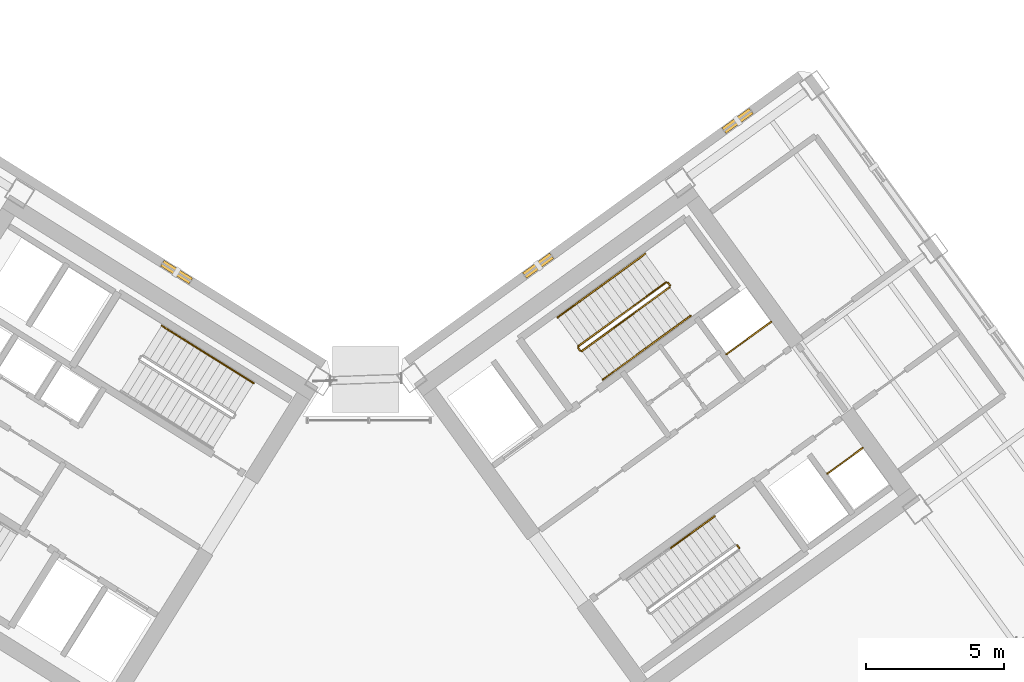
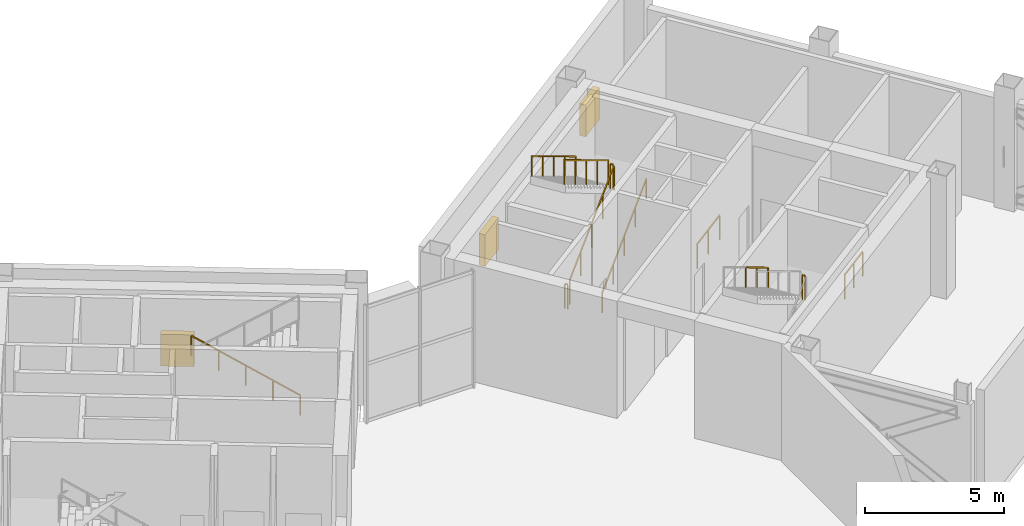
# One storey, part 29 of 30: 14 railings, 3 shading devices.
"""IFC4 building model written with IfcOpenShell, lengths in metres."""

from ifc_helpers import new_model, si_unit, direction, frame, origin, origin_2d, place, context, subcontext, project, spatial, rectangle, extrude, source, transform, mapped, material, type_object, element, save


model = new_model("IFC4")

# Units and contexts
model_context = context("Model", 3, precision=1e-05, world=origin(), true_north=direction((0.0, 1.0)))
body_context = subcontext(model_context, "Body", "Model", "MODEL_VIEW")
ifc_project = project(units=[si_unit("LENGTHUNIT", "METRE"), si_unit("AREAUNIT", "SQUARE_METRE"), si_unit("VOLUMEUNIT", "CUBIC_METRE"), si_unit("PLANEANGLEUNIT", "RADIAN"), si_unit("MASSUNIT", "GRAM", prefix="KILO")], contexts=[model_context])

# Site, building, storey
site_placement = place(None, origin())
site = spatial("IfcSite", under=ifc_project, at=site_placement, CompositionType="ELEMENT")
building_placement = place(site_placement, origin())
building = spatial("IfcBuilding", under=site, at=building_placement, Name="Tlacorven Tower", CompositionType="ELEMENT")
storey_placement = place(building_placement, frame((0.0, 0.0, 169.5)))
storey = spatial("IfcBuildingStorey", under=building, at=storey_placement, Name="L43", CompositionType="ELEMENT", Elevation=169.5)

# Railings
ifc_material_1 = material(Name="Aluminium and painted steel balustrade", Category="steel")
railing_type_1 = type_object("IfcRailingType", Name="RL-GRD-1100", PredefinedType="GUARDRAIL", material=ifc_material_1)
shared_shape_1 = source(origin(), body_context, "Body", "SweptSolid", [
    extrude(rectangle(XDim=0.048095703125, YDim=0.048095703125, at=origin_2d()), frame((0.0, 0.0, 1.076171875), z_axis=(0.808947177504, 0.587881334972, 0.0), x_axis=(-0.587881334972, 0.808947177504, 0.0)), (0.0, 0.0, 1.0), 2.0),
    extrude(rectangle(XDim=0.0419921875, YDim=0.0419921875, at=origin_2d()), origin(), (0.0, 0.0, 1.0), 1.052001953125),
    extrude(rectangle(XDim=0.0419921875, YDim=0.0419921875, at=origin_2d()), frame((0.80908203125, 0.587890625, 0.0)), (0.0, 0.0, 1.0), 1.052001953125),
    extrude(rectangle(XDim=0.0419921875, YDim=0.0419921875, at=origin_2d()), frame((1.617919921875, 1.17578125, 0.0)), (0.0, 0.0, 1.0), 1.052001953125),
])
railing_1_placement = place(storey_placement, frame((55.506103515625, 25.438232421875, 0.0)))
element("IfcRailing", 1, at=railing_1_placement, inside=storey, type_object=railing_type_1, Name="L43 Electrical Riser E Shaft Guard 1", PredefinedType="GUARDRAIL", context=body_context, shape_type="MappedRepresentation", body=[
    mapped(shared_shape_1, transform((0.0, 0.0, 0.0), scale=1.0)),
])
shared_shape_2 = source(origin(), body_context, "Body", "SweptSolid", [
    extrude(rectangle(XDim=0.048095703125, YDim=0.048095703125, at=origin_2d()), frame((0.0, 0.0, 1.076171875), z_axis=(0.809029975545, 0.58776738483, 0.0), x_axis=(-0.58776738483, 0.809029975545, 0.0)), (0.0, 0.0, 1.0), 1.580078125),
    extrude(rectangle(XDim=0.0419921875, YDim=0.0419921875, at=origin_2d()), origin(), (0.0, 0.0, 1.0), 1.052001953125),
    extrude(rectangle(XDim=0.0419921875, YDim=0.0419921875, at=origin_2d()), frame((0.63916015625, 0.46435546875, 0.0)), (0.0, 0.0, 1.0), 1.052001953125),
    extrude(rectangle(XDim=0.0419921875, YDim=0.0419921875, at=origin_2d()), frame((1.2783203125, 0.9287109375, 0.0)), (0.0, 0.0, 1.0), 1.052001953125),
])
railing_2_placement = place(storey_placement, frame((59.160888671875, 21.122314453125, 0.0)))
element("IfcRailing", 2, at=railing_2_placement, inside=storey, type_object=railing_type_1, Name="L43 Smoke Riser E Shaft Guard 1", PredefinedType="GUARDRAIL", context=body_context, shape_type="MappedRepresentation", body=[
    mapped(shared_shape_2, transform((0.0, 0.0, 0.0), scale=1.0)),
])

# Shading devices
ifc_material_2 = material(Name="Anodised bronze aluminium acoustic louvre", Category="aluminium")
shading_device_type = type_object("IfcShadingDeviceType", Name="SH-LVR-WND", PredefinedType="JALOUSIE", material=ifc_material_2)
shared_shape_3 = source(origin(), body_context, "Body", "SweptSolid", [
    extrude(rectangle(XDim=1.2099609375, YDim=0.25, at=origin_2d()), origin(), (0.0, 0.0, 1.0), 1.39990234375),
])
for number, where, z_axis, x_axis, name in (
    (3, (35.60498046875, 28.411376953125, 0.949951171875), (0.0, 0.0, 1.0), (0.84804812172, -0.529919223323, 0.0), "L43 Storm-Resistant Acoustic Louvre Bank 3.4"),
    (4, (48.6904296875, 28.64453125, 0.949951171875), (0.0, 0.0, 1.0), (0.809017097486, 0.587785110372, 0.0), "L43 Storm-Resistant Acoustic Louvre Bank 4.1"),
    (5, (55.90625, 33.88720703125, 0.949951171875), (0.0, 0.0, 1.0), (0.809017097486, 0.587785110372, 0.0), "L43 Storm-Resistant Acoustic Louvre Bank 4.2"),
):
    element("IfcShadingDevice", number, at=place(storey_placement, frame(where, z_axis=z_axis, x_axis=x_axis)), inside=storey, type_object=shading_device_type, Name=name, PredefinedType="JALOUSIE", context=body_context, shape_type="MappedRepresentation", body=[
        mapped(shared_shape_3, transform((0.0, 0.0, 0.0), scale=1.0)),
    ])

# Railings
railing_type_2 = type_object("IfcRailingType", Name="RL-HND-0900", PredefinedType="HANDRAIL", material=ifc_material_1)
shared_shape_4 = source(origin(), body_context, "Body", "SweptSolid", [
    extrude(rectangle(XDim=0.048095703125, YDim=0.048095703125, at=origin_2d()), frame((0.0, 0.0, 0.8759765625), z_axis=(-0.713405181892, 0.445707981167, 0.540737868078), x_axis=(-0.529853385765, -0.848089258034, 0.0)), (0.0, 0.0, 1.0), 2.330078125),
    extrude(rectangle(XDim=0.0419921875, YDim=0.0419921875, at=origin_2d()), origin(), (0.0, 0.0, 1.0), 0.851806640625),
    extrude(rectangle(XDim=0.0419921875, YDim=0.0419921875, at=origin_2d()), frame((-0.8310546875, 0.519287109375, 0.6298828125)), (0.0, 0.0, 1.0), 0.851806640625),
    extrude(rectangle(XDim=0.0419921875, YDim=0.0419921875, at=origin_2d()), frame((-1.662353515625, 1.03857421875, 1.260009765625)), (0.0, 0.0, 1.0), 0.851806640625),
])
railing_3_placement = place(storey_placement, frame((38.390625, 24.39501953125, 0.179931640625)))
element("IfcRailing", 6, at=railing_3_placement, inside=storey, type_object=railing_type_2, Name="L43 ST-W2 stair handrail 1", PredefinedType="HANDRAIL", context=body_context, shape_type="MappedRepresentation", body=[
    mapped(shared_shape_4, transform((0.0, 0.0, 0.0), scale=1.0)),
])
shared_shape_5 = source(origin(), body_context, "Body", "SweptSolid", [
    extrude(rectangle(XDim=0.048095703125, YDim=0.048095703125, at=origin_2d()), frame((0.0, 0.0, 0.8759765625), z_axis=(-0.71332040746, 0.445825254663, 0.540753029216), x_axis=(-0.529998940003, -0.847998304005, 0.0)), (0.0, 0.0, 1.0), 2.330078125),
    extrude(rectangle(XDim=0.0419921875, YDim=0.0419921875, at=origin_2d()), origin(), (0.0, 0.0, 1.0), 0.851806640625),
    extrude(rectangle(XDim=0.0419921875, YDim=0.0419921875, at=origin_2d()), frame((-0.8310546875, 0.51953125, 0.6298828125)), (0.0, 0.0, 1.0), 0.851806640625),
    extrude(rectangle(XDim=0.0419921875, YDim=0.0419921875, at=origin_2d()), frame((-1.662109375, 1.038818359375, 1.260009765625)), (0.0, 0.0, 1.0), 0.851806640625),
])
railing_4_placement = place(storey_placement, frame((36.728271484375, 25.43359375, 1.43994140625)))
element("IfcRailing", 7, at=railing_4_placement, inside=storey, type_object=railing_type_2, Name="L43 ST-W2 stair handrail 2", PredefinedType="HANDRAIL", context=body_context, shape_type="MappedRepresentation", body=[
    mapped(shared_shape_5, transform((0.0, 0.0, 0.0), scale=1.0)),
])
shared_shape_6 = source(origin(), body_context, "Body", "SweptSolid", [
    extrude(rectangle(XDim=0.048095703125, YDim=0.048095703125, at=origin_2d()), frame((0.0, 0.0, 1.076171875), z_axis=(-0.587567097037, 0.809175448515, 0.0), x_axis=(-0.809175448515, -0.587567097037, 0.0)), (0.0, 0.0, 1.0), 0.1201171875),
    extrude(rectangle(XDim=0.0419921875, YDim=0.0419921875, at=origin_2d()), origin(), (0.0, 0.0, 1.0), 1.052001953125),
    extrude(rectangle(XDim=0.0419921875, YDim=0.0419921875, at=origin_2d()), frame((-0.070556640625, 0.09716796875, 0.0)), (0.0, 0.0, 1.0), 1.052001953125),
])
railing_5_placement = place(storey_placement, frame((53.459716796875, 27.931640625, 2.699951171875)))
element("IfcRailing", 8, at=railing_5_placement, inside=storey, type_object=railing_type_1, Name="L43 ST-E1 stair guard 2", PredefinedType="GUARDRAIL", context=body_context, shape_type="MappedRepresentation", body=[
    mapped(shared_shape_6, transform((0.0, 0.0, 0.0), scale=1.0)),
])
shared_shape_7 = source(origin(), body_context, "Body", "SweptSolid", [
    extrude(rectangle(XDim=0.048095703125, YDim=0.048095703125, at=origin_2d()), frame((0.0, 0.0, 1.076171875), z_axis=(-0.587201422542, 0.809440849824, 0.0), x_axis=(-0.809440849824, -0.587201422542, 0.0)), (0.0, 0.0, 1.0), 0.11962890625),
    extrude(rectangle(XDim=0.0419921875, YDim=0.0419921875, at=origin_2d()), origin(), (0.0, 0.0, 1.0), 1.052001953125),
    extrude(rectangle(XDim=0.0419921875, YDim=0.0419921875, at=origin_2d()), frame((-0.0703125, 0.096923828125, 0.0)), (0.0, 0.0, 1.0), 1.052001953125),
])
railing_6_placement = place(storey_placement, frame((50.207275390625, 25.56884765625, 0.0)))
element("IfcRailing", 9, at=railing_6_placement, inside=storey, type_object=railing_type_1, Name="L43 ST-E1 stair guard 4", PredefinedType="GUARDRAIL", context=body_context, shape_type="MappedRepresentation", body=[
    mapped(shared_shape_7, transform((0.0, 0.0, 0.0), scale=1.0)),
])
shared_shape_8 = source(origin(), body_context, "Body", "SweptSolid", [
    extrude(rectangle(XDim=0.048095703125, YDim=0.048095703125, at=origin_2d()), frame((0.0, 0.0, 1.076171875), z_axis=(0.680514408703, 0.494419468391, 0.540786028688), x_axis=(-0.587782769792, 0.809018798011, 0.0)), (0.0, 0.0, 1.0), 4.659912109375),
    extrude(rectangle(XDim=0.0419921875, YDim=0.0419921875, at=origin_2d()), origin(), (0.0, 0.0, 1.0), 1.052001953125),
    extrude(rectangle(XDim=0.0419921875, YDim=0.0419921875, at=origin_2d()), frame((0.792724609375, 0.575927734375, 0.6298828125)), (0.0, 0.0, 1.0), 1.052001953125),
    extrude(rectangle(XDim=0.0419921875, YDim=0.0419921875, at=origin_2d()), frame((1.58544921875, 1.15185546875, 1.260009765625)), (0.0, 0.0, 1.0), 1.052001953125),
    extrude(rectangle(XDim=0.0419921875, YDim=0.0419921875, at=origin_2d()), frame((2.37841796875, 1.72802734375, 1.89013671875)), (0.0, 0.0, 1.0), 1.052001953125),
    extrude(rectangle(XDim=0.0419921875, YDim=0.0419921875, at=origin_2d()), frame((3.171142578125, 2.303955078125, 2.52001953125)), (0.0, 0.0, 1.0), 1.052001953125),
])
railing_7_placement = place(storey_placement, frame((50.27734375, 25.557861328125, 0.179931640625)))
element("IfcRailing", 10, at=railing_7_placement, inside=storey, type_object=railing_type_1, Name="L43 ST-E1 stair guard 1", PredefinedType="GUARDRAIL", context=body_context, shape_type="MappedRepresentation", body=[
    mapped(shared_shape_8, transform((0.0, 0.0, 0.0), scale=1.0)),
])
shared_shape_9 = source(origin(), body_context, "Body", "SweptSolid", [
    extrude(rectangle(XDim=0.048095703125, YDim=0.048095703125, at=origin_2d()), frame((0.0, 0.0, 1.076171875), z_axis=(-0.680542536252, -0.494401841002, 0.540766748206), x_axis=(0.587753152711, -0.809040315113, 0.0)), (0.0, 0.0, 1.0), 4.66015625),
    extrude(rectangle(XDim=0.0419921875, YDim=0.0419921875, at=origin_2d()), origin(), (0.0, 0.0, 1.0), 1.052001953125),
    extrude(rectangle(XDim=0.0419921875, YDim=0.0419921875, at=origin_2d()), frame((-0.79296875, -0.575927734375, 0.6298828125)), (0.0, 0.0, 1.0), 1.052001953125),
    extrude(rectangle(XDim=0.0419921875, YDim=0.0419921875, at=origin_2d()), frame((-1.585693359375, -1.15185546875, 1.260009765625)), (0.0, 0.0, 1.0), 1.052001953125),
    extrude(rectangle(XDim=0.0419921875, YDim=0.0419921875, at=origin_2d()), frame((-2.37841796875, -1.72802734375, 1.89013671875)), (0.0, 0.0, 1.0), 1.052001953125),
    extrude(rectangle(XDim=0.0419921875, YDim=0.0419921875, at=origin_2d()), frame((-3.17138671875, -2.303955078125, 2.52001953125)), (0.0, 0.0, 1.0), 1.052001953125),
])
railing_8_placement = place(storey_placement, frame((53.3193359375, 28.039794921875, 2.8798828125)))
element("IfcRailing", 11, at=railing_8_placement, inside=storey, type_object=railing_type_1, Name="L43 ST-E1 stair guard 3", PredefinedType="GUARDRAIL", context=body_context, shape_type="MappedRepresentation", body=[
    mapped(shared_shape_9, transform((0.0, 0.0, 0.0), scale=1.0)),
])
shared_shape_10 = source(origin(), body_context, "Body", "SweptSolid", [
    extrude(rectangle(XDim=0.048095703125, YDim=0.048095703125, at=origin_2d()), frame((0.0, 0.0, 0.8759765625), z_axis=(0.680524908878, 0.494441423402, 0.540752741297), x_axis=(-0.587793916777, 0.809010699188, 0.0)), (0.0, 0.0, 1.0), 2.330078125),
    extrude(rectangle(XDim=0.0419921875, YDim=0.0419921875, at=origin_2d()), origin(), (0.0, 0.0, 1.0), 0.851806640625),
    extrude(rectangle(XDim=0.0419921875, YDim=0.0419921875, at=origin_2d()), frame((0.79296875, 0.576171875, 0.6298828125)), (0.0, 0.0, 1.0), 0.851806640625),
    extrude(rectangle(XDim=0.0419921875, YDim=0.0419921875, at=origin_2d()), frame((1.585693359375, 1.152099609375, 1.260009765625)), (0.0, 0.0, 1.0), 0.851806640625),
])
for number, where, name in (
    (12, (51.029541015625, 24.522216796875, 0.179931640625), "L43 ST-E1 stair handrail 1"),
    (13, (52.615234375, 25.67431640625, 1.43994140625), "L43 ST-E1 stair handrail 2"),
):
    element("IfcRailing", number, at=place(storey_placement, frame(where)), inside=storey, type_object=railing_type_2, Name=name, PredefinedType="HANDRAIL", context=body_context, shape_type="MappedRepresentation", body=[
        mapped(shared_shape_10, transform((0.0, 0.0, 0.0), scale=1.0)),
    ])
shared_shape_11 = source(origin(), body_context, "Body", "SweptSolid", [
    extrude(rectangle(XDim=0.048095703125, YDim=0.048095703125, at=origin_2d()), frame((0.0, 0.0, 0.8759765625), z_axis=(-0.680524908878, -0.494441423402, 0.540752741297), x_axis=(0.587793916777, -0.809010699188, 0.0)), (0.0, 0.0, 1.0), 2.330078125),
    extrude(rectangle(XDim=0.0419921875, YDim=0.0419921875, at=origin_2d()), origin(), (0.0, 0.0, 1.0), 0.851806640625),
    extrude(rectangle(XDim=0.0419921875, YDim=0.0419921875, at=origin_2d()), frame((-0.79296875, -0.576171875, 0.6298828125)), (0.0, 0.0, 1.0), 0.851806640625),
    extrude(rectangle(XDim=0.0419921875, YDim=0.0419921875, at=origin_2d()), frame((-1.585693359375, -1.152099609375, 1.260009765625)), (0.0, 0.0, 1.0), 0.851806640625),
])
for number, where, name in (
    (14, (52.56689453125, 29.075439453125, 2.8798828125), "L43 ST-E1 stair handrail 3"),
    (15, (50.981201171875, 27.92333984375, 4.139892578125), "L43 ST-E1 stair handrail 4"),
):
    element("IfcRailing", number, at=place(storey_placement, frame(where)), inside=storey, type_object=railing_type_2, Name=name, PredefinedType="HANDRAIL", context=body_context, shape_type="MappedRepresentation", body=[
        mapped(shared_shape_11, transform((0.0, 0.0, 0.0), scale=1.0)),
    ])
shared_shape_12 = source(origin(), body_context, "Body", "SweptSolid", [
    extrude(rectangle(XDim=0.048095703125, YDim=0.048095703125, at=origin_2d()), frame((0.0, 0.0, 1.076171875), z_axis=(-0.588534897514, 0.808471814232, 0.0), x_axis=(-0.808471814232, -0.588534897514, 0.0)), (0.0, 0.0, 1.0), 0.119873046875),
    extrude(rectangle(XDim=0.0419921875, YDim=0.0419921875, at=origin_2d()), origin(), (0.0, 0.0, 1.0), 1.052001953125),
    extrude(rectangle(XDim=0.0419921875, YDim=0.0419921875, at=origin_2d()), frame((-0.070556640625, 0.096923828125, 0.0)), (0.0, 0.0, 1.0), 1.052001953125),
])
railing_9_placement = place(storey_placement, frame((55.963623046875, 18.4287109375, 2.699951171875)))
element("IfcRailing", 16, at=railing_9_placement, inside=storey, type_object=railing_type_1, Name="L43 ST-E2 stair guard 2", PredefinedType="GUARDRAIL", context=body_context, shape_type="MappedRepresentation", body=[
    mapped(shared_shape_12, transform((0.0, 0.0, 0.0), scale=1.0)),
])
shared_shape_13 = source(origin(), body_context, "Body", "SweptSolid", [
    extrude(rectangle(XDim=0.048095703125, YDim=0.048095703125, at=origin_2d()), frame((0.0, 0.0, 0.8759765625), z_axis=(-0.680468649714, -0.494476679704, 0.540791299842), x_axis=(0.587853152907, -0.808967657337, 0.0)), (0.0, 0.0, 1.0), 2.329833984375),
    extrude(rectangle(XDim=0.0419921875, YDim=0.0419921875, at=origin_2d()), origin(), (0.0, 0.0, 1.0), 0.851806640625),
    extrude(rectangle(XDim=0.0419921875, YDim=0.0419921875, at=origin_2d()), frame((-0.792724609375, -0.576171875, 0.6298828125)), (0.0, 0.0, 1.0), 0.851806640625),
    extrude(rectangle(XDim=0.0419921875, YDim=0.0419921875, at=origin_2d()), frame((-1.58544921875, -1.152099609375, 1.260009765625)), (0.0, 0.0, 1.0), 0.851806640625),
])
railing_10_placement = place(storey_placement, frame((55.07080078125, 19.572265625, 2.8798828125)))
element("IfcRailing", 17, at=railing_10_placement, inside=storey, type_object=railing_type_2, Name="L43 ST-E2 stair handrail 3", PredefinedType="HANDRAIL", context=body_context, shape_type="MappedRepresentation", body=[
    mapped(shared_shape_13, transform((0.0, 0.0, 0.0), scale=1.0)),
])

save(model, "model.ifc")
